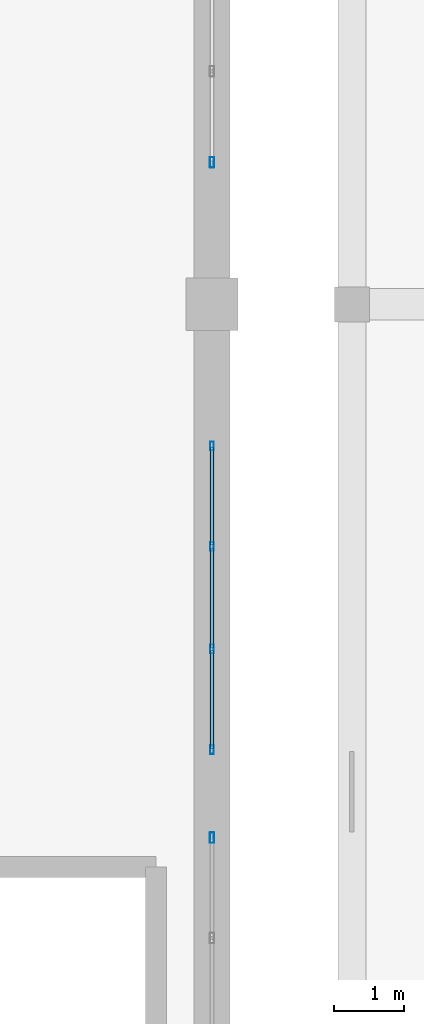
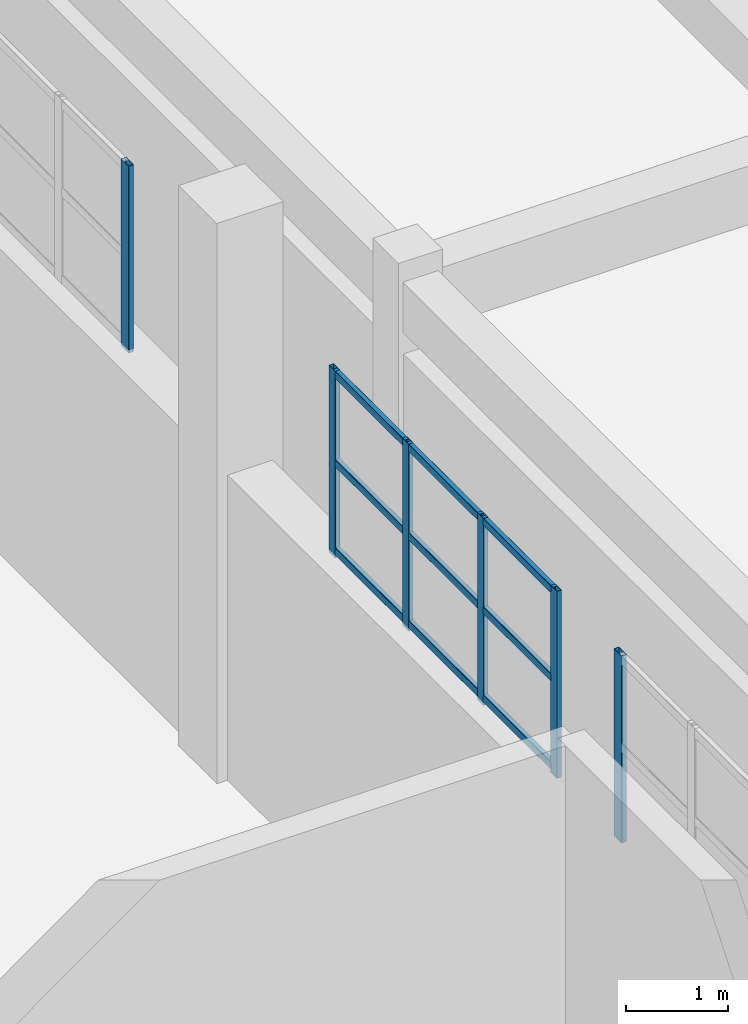
# One storey, part 137 of 197: 15 members, 3 elements without a shape of their own.
"""IFC4 building model written with IfcOpenShell, lengths in metres."""

from ifc_helpers import new_model, si_unit, derived_unit, direction, frame, origin, origin_2d, place, context, subcontext, project, spatial, hollow_rectangle, extrude, material, layer, layer_set, material_profile, profile_set, type_object, element, aggregate, save


model = new_model("IFC4")

# Units and contexts
model_context = context("Model", 3, precision=1e-05, world=origin(), true_north=direction((0.0, 1.0)))
body_context = subcontext(model_context, "Body", "Model", "MODEL_VIEW")
ifc_project = project(units=[si_unit("LENGTHUNIT", "METRE"), si_unit("AREAUNIT", "SQUARE_METRE"), si_unit("VOLUMEUNIT", "CUBIC_METRE"), si_unit("PLANEANGLEUNIT", "RADIAN"), si_unit("MASSUNIT", "GRAM", prefix="KILO"), derived_unit("THERMALTRANSMITTANCEUNIT", [(si_unit("POWERUNIT", "WATT"), 1), (si_unit("LENGTHUNIT", "METRE"), -2), (si_unit("THERMODYNAMICTEMPERATUREUNIT", "KELVIN"), -1)])], contexts=[model_context])

# Site, building, storey
site_placement = place(None, origin())
site = spatial("IfcSite", under=ifc_project, at=site_placement, CompositionType="ELEMENT")
building_placement = place(site_placement, origin())
building = spatial("IfcBuilding", under=site, at=building_placement, Name="Almenara Railside Exhibition Hall", CompositionType="ELEMENT")
storey_placement = place(building_placement, frame((0.0, 0.0, 5.39990234375)))
storey = spatial("IfcBuildingStorey", under=building, at=storey_placement, Name="L01", CompositionType="ELEMENT", Elevation=5.39990234375)

# Curtain wall, members
ifc_material_1 = material(Name="Bronze-anodised aluminium and low-E double glazing", Category="aluminium")
ifc_layer_1 = layer(ifc_material_1, 0.179931640625, Name="Bronze-anodised aluminium and low-E double glazing")
ifc_layer_set_1 = layer_set([ifc_layer_1], Name="Bronze-anodised aluminium and low-E double glazing")
curtain_wall_type_1 = type_object("IfcCurtainWallType", Name="East Hall Clerestory Curtain Wall 4400x2300", PredefinedType="NOTDEFINED", material=ifc_layer_set_1)
curtain_wall_1_placement = place(storey_placement, origin())
curtain_wall_1 = element("IfcCurtainWall", 1, at=curtain_wall_1_placement, inside=storey, type_object=curtain_wall_type_1, Name="Curtain wall CW-CL3-070", PredefinedType="NOTDEFINED")
ifc_material_2 = material(Name="Bronze-anodised aluminium", Category="aluminium")
ifc_material_profile_1 = material_profile(ifc_material_2, hollow_rectangle(XDim=0.054931640625, YDim=0.125, WallThickness=0.0029296875, InnerFilletRadius=0.0029296875, OuterFilletRadius=0.006103515625, at=origin_2d()), Name="ALU-MUL 55x125x3")
ifc_profile_set_1 = profile_set([ifc_material_profile_1], Name="Bronze-anodised aluminium")
member_type_1 = type_object("IfcMemberType", Name="Curtain Wall Mullion 55x125x3", PredefinedType="MULLION", material=ifc_profile_set_1)
member_1_placement = place(storey_placement, frame((192.0, 97.62744140625, 3.614990234375), z_axis=(0.0, 0.0, 1.0), x_axis=(-1.0, 0.0, 0.0)))
member_1 = element("IfcMember", 2, at=member_1_placement, type_object=member_type_1, Name="CW-CL3-070 mullion 1", PredefinedType="MULLION", context=body_context, shape_type="SweptSolid", body=[
    extrude(hollow_rectangle(XDim=0.054931640625, YDim=0.125, WallThickness=0.0029296875, InnerFilletRadius=0.0029296875, OuterFilletRadius=0.006103515625, at=origin_2d()), origin(), (0.0, 0.0, 1.0), 2.235107421875),
])
member_2_placement = place(storey_placement, frame((192.0, 99.066650390625, 3.614990234375), z_axis=(0.0, 0.0, 1.0), x_axis=(-1.0, 0.0, 0.0)))
member_2 = element("IfcMember", 3, at=member_2_placement, type_object=member_type_1, Name="CW-CL3-070 mullion 2", PredefinedType="MULLION", context=body_context, shape_type="SweptSolid", body=[
    extrude(hollow_rectangle(XDim=0.054931640625, YDim=0.125, WallThickness=0.0029296875, InnerFilletRadius=0.0029296875, OuterFilletRadius=0.006103515625, at=origin_2d()), origin(), (0.0, 0.0, 1.0), 2.235107421875),
])
member_3_placement = place(storey_placement, frame((192.0, 100.533447265625, 3.614990234375), z_axis=(0.0, 0.0, 1.0), x_axis=(-1.0, 0.0, 0.0)))
member_3 = element("IfcMember", 4, at=member_3_placement, type_object=member_type_1, Name="CW-CL3-070 mullion 3", PredefinedType="MULLION", context=body_context, shape_type="SweptSolid", body=[
    extrude(hollow_rectangle(XDim=0.054931640625, YDim=0.125, WallThickness=0.0029296875, InnerFilletRadius=0.0029296875, OuterFilletRadius=0.006103515625, at=origin_2d()), origin(), (0.0, 0.0, 1.0), 2.235107421875),
])
member_4_placement = place(storey_placement, frame((192.0, 101.972412109375, 3.614990234375), z_axis=(0.0, 0.0, 1.0), x_axis=(-1.0, 0.0, 0.0)))
member_4 = element("IfcMember", 5, at=member_4_placement, type_object=member_type_1, Name="CW-CL3-070 mullion 4", PredefinedType="MULLION", context=body_context, shape_type="SweptSolid", body=[
    extrude(hollow_rectangle(XDim=0.054931640625, YDim=0.125, WallThickness=0.0029296875, InnerFilletRadius=0.0029296875, OuterFilletRadius=0.006103515625, at=origin_2d()), origin(), (0.0, 0.0, 1.0), 2.235107421875),
])

# Curtain wall, member
curtain_wall_2_placement = place(storey_placement, origin())
curtain_wall_2 = element("IfcCurtainWall", 6, at=curtain_wall_2_placement, inside=storey, type_object=curtain_wall_type_1, Name="Curtain wall CW-CL3-069", PredefinedType="NOTDEFINED")
ifc_material_profile_2 = material_profile(ifc_material_2, hollow_rectangle(XDim=0.06005859375, YDim=0.14990234375, WallThickness=0.00341796875, InnerFilletRadius=0.00341796875, OuterFilletRadius=0.007080078125, at=origin_2d()), Name="ALU-MUL 60x150x3.5")
ifc_profile_set_2 = profile_set([ifc_material_profile_2], Name="Bronze-anodised aluminium")
member_type_2 = type_object("IfcMemberType", Name="Curtain Wall Mullion 60x150x3.5", PredefinedType="MULLION", material=ifc_profile_set_2)
member_5_placement = place(storey_placement, frame((192.0, 96.3701171875, 3.614990234375), z_axis=(0.0, 0.0, 1.0), x_axis=(-1.0, 0.0, 0.0)))
member_5 = element("IfcMember", 7, at=member_5_placement, type_object=member_type_2, Name="CW-CL3-069 mullion 4", PredefinedType="MULLION", context=body_context, shape_type="SweptSolid", body=[
    extrude(hollow_rectangle(XDim=0.06005859375, YDim=0.14990234375, WallThickness=0.00341796875, InnerFilletRadius=0.00341796875, OuterFilletRadius=0.007080078125, at=origin_2d()), origin(), (0.0, 0.0, 1.0), 2.235107421875),
])
aggregate(curtain_wall_2, [member_5])

ifc_layer_2 = layer(ifc_material_1, 0.179931640625, Name="Bronze-anodised aluminium and low-E double glazing")
ifc_layer_set_2 = layer_set([ifc_layer_2], Name="Bronze-anodised aluminium and low-E double glazing")
curtain_wall_type_2 = type_object("IfcCurtainWallType", Name="East Hall Clerestory Curtain Wall 4000x2100", PredefinedType="NOTDEFINED", material=ifc_layer_set_2)
curtain_wall_3_placement = place(storey_placement, origin())
curtain_wall_3 = element("IfcCurtainWall", 8, at=curtain_wall_3_placement, inside=storey, type_object=curtain_wall_type_2, Name="Curtain wall CW-CL4-073", PredefinedType="NOTDEFINED")
member_6_placement = place(storey_placement, frame((192.0, 106.030029296875, 3.614990234375), z_axis=(0.0, 0.0, 1.0), x_axis=(-1.0, 0.0, 0.0)))
member_6 = element("IfcMember", 9, at=member_6_placement, type_object=member_type_2, Name="CW-CL4-073 mullion 1", PredefinedType="MULLION", context=body_context, shape_type="SweptSolid", body=[
    extrude(hollow_rectangle(XDim=0.06005859375, YDim=0.14990234375, WallThickness=0.00341796875, InnerFilletRadius=0.00341796875, OuterFilletRadius=0.007080078125, at=origin_2d()), origin(), (0.0, 0.0, 1.0), 2.235107421875),
])
aggregate(curtain_wall_3, [member_6])

# Member
ifc_material_profile_3 = material_profile(ifc_material_2, hollow_rectangle(XDim=0.054931640625, YDim=0.090087890625, WallThickness=0.0029296875, InnerFilletRadius=0.0029296875, OuterFilletRadius=0.006103515625, at=origin_2d()), Name="ALU-TRN 55x90x3")
ifc_profile_set_3 = profile_set([ifc_material_profile_3], Name="Bronze-anodised aluminium")
member_type_3 = type_object("IfcMemberType", Name="Curtain Wall Transom 55x90x3", PredefinedType="USERDEFINED", material=ifc_profile_set_3)
member_7_placement = place(storey_placement, frame((192.0, 97.64697265625, 3.695068359375), z_axis=(0.0, 1.0, 0.0), x_axis=(-1.0, 0.0, 0.0)))
member_7 = element("IfcMember", 10, at=member_7_placement, type_object=member_type_3, Name="CW-CL3-070 transom 1.1", ObjectType="TRANSOM", PredefinedType="USERDEFINED", context=body_context, shape_type="SweptSolid", body=[
    extrude(hollow_rectangle(XDim=0.054931640625, YDim=0.090087890625, WallThickness=0.0029296875, InnerFilletRadius=0.0029296875, OuterFilletRadius=0.006103515625, at=origin_2d()), origin(), (0.0, 0.0, 1.0), 1.400146484375),
])

member_8_placement = place(storey_placement, frame((192.0, 97.64697265625, 4.75), z_axis=(0.0, 1.0, 0.0), x_axis=(-1.0, 0.0, 0.0)))
member_8 = element("IfcMember", 11, at=member_8_placement, type_object=member_type_3, Name="CW-CL3-070 transom 1.2", ObjectType="TRANSOM", PredefinedType="USERDEFINED", context=body_context, shape_type="SweptSolid", body=[
    extrude(hollow_rectangle(XDim=0.054931640625, YDim=0.090087890625, WallThickness=0.0029296875, InnerFilletRadius=0.0029296875, OuterFilletRadius=0.006103515625, at=origin_2d()), origin(), (0.0, 0.0, 1.0), 1.400146484375),
])

member_9_placement = place(storey_placement, frame((192.0, 97.64697265625, 5.80517578125), z_axis=(0.0, 1.0, 0.0), x_axis=(-1.0, 0.0, 0.0)))
member_9 = element("IfcMember", 12, at=member_9_placement, type_object=member_type_3, Name="CW-CL3-070 transom 1.3", ObjectType="TRANSOM", PredefinedType="USERDEFINED", context=body_context, shape_type="SweptSolid", body=[
    extrude(hollow_rectangle(XDim=0.054931640625, YDim=0.090087890625, WallThickness=0.0029296875, InnerFilletRadius=0.0029296875, OuterFilletRadius=0.006103515625, at=origin_2d()), origin(), (0.0, 0.0, 1.0), 1.400146484375),
])

member_10_placement = place(storey_placement, frame((192.0, 99.086181640625, 3.695068359375), z_axis=(0.0, 1.0, 0.0), x_axis=(-1.0, 0.0, 0.0)))
member_10 = element("IfcMember", 13, at=member_10_placement, type_object=member_type_3, Name="CW-CL3-070 transom 2.1", ObjectType="TRANSOM", PredefinedType="USERDEFINED", context=body_context, shape_type="SweptSolid", body=[
    extrude(hollow_rectangle(XDim=0.054931640625, YDim=0.090087890625, WallThickness=0.0029296875, InnerFilletRadius=0.0029296875, OuterFilletRadius=0.006103515625, at=origin_2d()), origin(), (0.0, 0.0, 1.0), 1.427734375),
])

member_11_placement = place(storey_placement, frame((192.0, 99.086181640625, 4.75), z_axis=(0.0, 1.0, 0.0), x_axis=(-1.0, 0.0, 0.0)))
member_11 = element("IfcMember", 14, at=member_11_placement, type_object=member_type_3, Name="CW-CL3-070 transom 2.2", ObjectType="TRANSOM", PredefinedType="USERDEFINED", context=body_context, shape_type="SweptSolid", body=[
    extrude(hollow_rectangle(XDim=0.054931640625, YDim=0.090087890625, WallThickness=0.0029296875, InnerFilletRadius=0.0029296875, OuterFilletRadius=0.006103515625, at=origin_2d()), origin(), (0.0, 0.0, 1.0), 1.427734375),
])

member_12_placement = place(storey_placement, frame((192.0, 99.086181640625, 5.80517578125), z_axis=(0.0, 1.0, 0.0), x_axis=(-1.0, 0.0, 0.0)))
member_12 = element("IfcMember", 15, at=member_12_placement, type_object=member_type_3, Name="CW-CL3-070 transom 2.3", ObjectType="TRANSOM", PredefinedType="USERDEFINED", context=body_context, shape_type="SweptSolid", body=[
    extrude(hollow_rectangle(XDim=0.054931640625, YDim=0.090087890625, WallThickness=0.0029296875, InnerFilletRadius=0.0029296875, OuterFilletRadius=0.006103515625, at=origin_2d()), origin(), (0.0, 0.0, 1.0), 1.427734375),
])

member_13_placement = place(storey_placement, frame((192.0, 100.552734375, 3.695068359375), z_axis=(0.0, 1.0, 0.0), x_axis=(-1.0, 0.0, 0.0)))
member_13 = element("IfcMember", 16, at=member_13_placement, type_object=member_type_3, Name="CW-CL3-070 transom 3.1", ObjectType="TRANSOM", PredefinedType="USERDEFINED", context=body_context, shape_type="SweptSolid", body=[
    extrude(hollow_rectangle(XDim=0.054931640625, YDim=0.090087890625, WallThickness=0.0029296875, InnerFilletRadius=0.0029296875, OuterFilletRadius=0.006103515625, at=origin_2d()), origin(), (0.0, 0.0, 1.0), 1.400146484375),
])

member_14_placement = place(storey_placement, frame((192.0, 100.552734375, 4.75), z_axis=(0.0, 1.0, 0.0), x_axis=(-1.0, 0.0, 0.0)))
member_14 = element("IfcMember", 17, at=member_14_placement, type_object=member_type_3, Name="CW-CL3-070 transom 3.2", ObjectType="TRANSOM", PredefinedType="USERDEFINED", context=body_context, shape_type="SweptSolid", body=[
    extrude(hollow_rectangle(XDim=0.054931640625, YDim=0.090087890625, WallThickness=0.0029296875, InnerFilletRadius=0.0029296875, OuterFilletRadius=0.006103515625, at=origin_2d()), origin(), (0.0, 0.0, 1.0), 1.400146484375),
])

member_15_placement = place(storey_placement, frame((192.0, 100.552734375, 5.80517578125), z_axis=(0.0, 1.0, 0.0), x_axis=(-1.0, 0.0, 0.0)))
member_15 = element("IfcMember", 18, at=member_15_placement, type_object=member_type_3, Name="CW-CL3-070 transom 3.3", ObjectType="TRANSOM", PredefinedType="USERDEFINED", context=body_context, shape_type="SweptSolid", body=[
    extrude(hollow_rectangle(XDim=0.054931640625, YDim=0.090087890625, WallThickness=0.0029296875, InnerFilletRadius=0.0029296875, OuterFilletRadius=0.006103515625, at=origin_2d()), origin(), (0.0, 0.0, 1.0), 1.400146484375),
])

aggregate(curtain_wall_1, [member_1, member_2, member_3, member_4, member_7, member_8, member_9, member_10, member_11, member_12, member_13, member_14, member_15])

save(model, "model.ifc")
